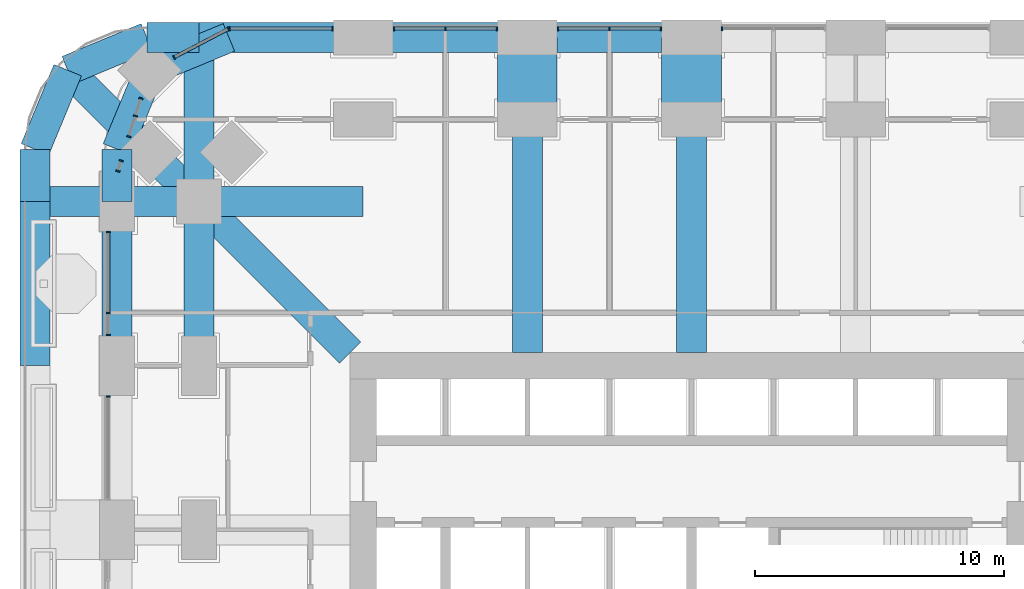
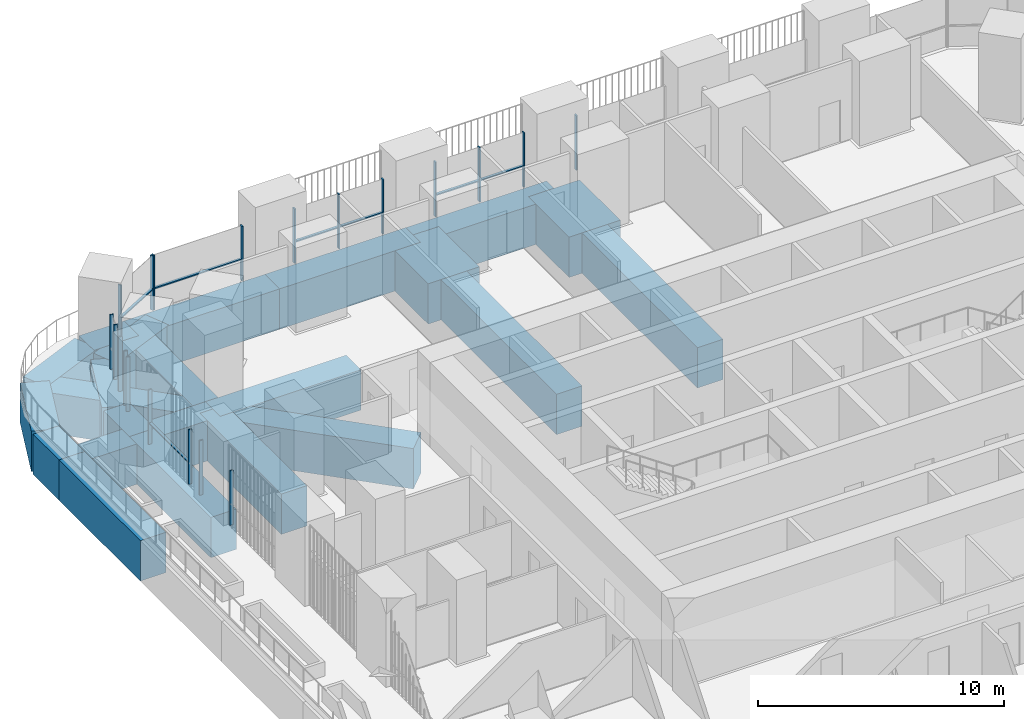
# One storey, part 7 of 27: 27 members, 22 beams, 9 elements without a shape of their own.
"""IFC4 building model written with IfcOpenShell, lengths in metres."""

from ifc_helpers import new_model, si_unit, direction, frame, origin, origin_2d, place, context, subcontext, project, spatial, rectangle, extrude, material, material_profile, profile_set, type_object, element, aggregate, save


model = new_model("IFC4")

# Units and contexts
model_context = context("Model", 3, precision=1e-05, world=origin(), true_north=direction((0.0, 1.0)))
body_context = subcontext(model_context, "Body", "Model", "MODEL_VIEW")
ifc_project = project(units=[si_unit("LENGTHUNIT", "METRE"), si_unit("AREAUNIT", "SQUARE_METRE"), si_unit("VOLUMEUNIT", "CUBIC_METRE"), si_unit("PLANEANGLEUNIT", "RADIAN"), si_unit("MASSUNIT", "GRAM", prefix="KILO")], contexts=[model_context])

# Site, building, storey
site_placement = place(None, origin())
site = spatial("IfcSite", under=ifc_project, at=site_placement, CompositionType="ELEMENT")
building_placement = place(site_placement, origin())
building = spatial("IfcBuilding", under=site, at=building_placement, Name="Cobogo Forest Laboratory Tower", CompositionType="ELEMENT")
storey_placement = place(building_placement, frame((0.0, 0.0, 82.199951171875)))
storey = spatial("IfcBuildingStorey", under=building, at=storey_placement, Name="L18", CompositionType="ELEMENT", Elevation=82.199951171875)

# Curtain wall, member
ifc_material_1 = material(Name="Aluminium curtain wall", Category="aluminium")
curtain_wall_type = type_object("IfcCurtainWallType", Name="CW-1 unitised curtain wall, clear glazing, laboratory floors zones A and B", PredefinedType="USERDEFINED", material=ifc_material_1)
curtain_wall_1_placement = place(storey_placement, origin())
curtain_wall_1 = element("IfcCurtainWall", 1, at=curtain_wall_1_placement, inside=storey, type_object=curtain_wall_type, Name="Curtain wall 20 L18", ObjectType="UNITISED CURTAIN WALL", PredefinedType="USERDEFINED")
ifc_material_2 = material(Name="Aluminium mullion", Category="aluminium")
ifc_material_profile_1 = material_profile(ifc_material_2, rectangle(XDim=0.06005859375, YDim=0.159912109375, at=origin_2d()), Name="AL 60x160")
ifc_profile_set_1 = profile_set([ifc_material_profile_1], Name="Aluminium mullion")
member_type_1 = type_object("IfcMemberType", Name="MU-1 aluminium mullion 60x160", PredefinedType="MULLION", material=ifc_profile_set_1)
member_1_placement = place(storey_placement, frame((27.6298828125, 46.550048828125, 0.0), z_axis=(0.0, 0.0, 1.0), x_axis=(-1.0, 0.0, 0.0)))
member_1 = element("IfcMember", 2, at=member_1_placement, type_object=member_type_1, Name="CW-1 mullion 3", PredefinedType="MULLION", context=body_context, shape_type="SweptSolid", body=[
    extrude(rectangle(XDim=0.06005859375, YDim=0.159912109375, at=origin_2d()), origin(), (0.0, 0.0, 1.0), 2.699951171875),
])
aggregate(curtain_wall_1, [member_1])

# Curtain wall, members
curtain_wall_2_placement = place(storey_placement, origin())
curtain_wall_2 = element("IfcCurtainWall", 3, at=curtain_wall_2_placement, inside=storey, type_object=curtain_wall_type, Name="Curtain wall 21 L18", ObjectType="UNITISED CURTAIN WALL", PredefinedType="USERDEFINED")
member_2_placement = place(storey_placement, frame((25.169921875, 46.550048828125, 0.0), z_axis=(0.0, 0.0, 1.0), x_axis=(-1.0, 0.0, 0.0)))
member_2 = element("IfcMember", 4, at=member_2_placement, type_object=member_type_1, Name="CW-1 mullion 1", PredefinedType="MULLION", context=body_context, shape_type="SweptSolid", body=[
    extrude(rectangle(XDim=0.06005859375, YDim=0.159912109375, at=origin_2d()), origin(), (0.0, 0.0, 1.0), 2.699951171875),
])
member_3_placement = place(storey_placement, frame((23.10009765625, 46.550048828125, 0.0), z_axis=(0.0, 0.0, 1.0), x_axis=(-1.0, 0.0, 0.0)))
member_3 = element("IfcMember", 5, at=member_3_placement, type_object=member_type_1, Name="CW-1 mullion 2", PredefinedType="MULLION", context=body_context, shape_type="SweptSolid", body=[
    extrude(rectangle(XDim=0.06005859375, YDim=0.159912109375, at=origin_2d()), origin(), (0.0, 0.0, 1.0), 2.699951171875),
])
member_4_placement = place(storey_placement, frame((21.030029296875, 46.550048828125, 0.0), z_axis=(0.0, 0.0, 1.0), x_axis=(-1.0, 0.0, 0.0)))
member_4 = element("IfcMember", 6, at=member_4_placement, type_object=member_type_1, Name="CW-1 mullion 3", PredefinedType="MULLION", context=body_context, shape_type="SweptSolid", body=[
    extrude(rectangle(XDim=0.06005859375, YDim=0.159912109375, at=origin_2d()), origin(), (0.0, 0.0, 1.0), 2.699951171875),
])

curtain_wall_3_placement = place(storey_placement, origin())
curtain_wall_3 = element("IfcCurtainWall", 7, at=curtain_wall_3_placement, inside=storey, type_object=curtain_wall_type, Name="Curtain wall 22 L18", ObjectType="UNITISED CURTAIN WALL", PredefinedType="USERDEFINED")
member_5_placement = place(storey_placement, frame((18.570068359375, 46.550048828125, 0.0), z_axis=(0.0, 0.0, 1.0), x_axis=(-1.0, 0.0, 0.0)))
member_5 = element("IfcMember", 8, at=member_5_placement, type_object=member_type_1, Name="CW-1 mullion 1", PredefinedType="MULLION", context=body_context, shape_type="SweptSolid", body=[
    extrude(rectangle(XDim=0.06005859375, YDim=0.159912109375, at=origin_2d()), origin(), (0.0, 0.0, 1.0), 2.699951171875),
])
member_6_placement = place(storey_placement, frame((16.5, 46.550048828125, 0.0), z_axis=(0.0, 0.0, 1.0), x_axis=(-1.0, 0.0, 0.0)))
member_6 = element("IfcMember", 9, at=member_6_placement, type_object=member_type_1, Name="CW-1 mullion 2", PredefinedType="MULLION", context=body_context, shape_type="SweptSolid", body=[
    extrude(rectangle(XDim=0.06005859375, YDim=0.159912109375, at=origin_2d()), origin(), (0.0, 0.0, 1.0), 2.699951171875),
])
member_7_placement = place(storey_placement, frame((14.429931640625, 46.550048828125, 0.0), z_axis=(0.0, 0.0, 1.0), x_axis=(-1.0, 0.0, 0.0)))
member_7 = element("IfcMember", 10, at=member_7_placement, type_object=member_type_1, Name="CW-1 mullion 3", PredefinedType="MULLION", context=body_context, shape_type="SweptSolid", body=[
    extrude(rectangle(XDim=0.06005859375, YDim=0.159912109375, at=origin_2d()), origin(), (0.0, 0.0, 1.0), 2.699951171875),
])

curtain_wall_4_placement = place(storey_placement, origin())
curtain_wall_4 = element("IfcCurtainWall", 11, at=curtain_wall_4_placement, inside=storey, type_object=curtain_wall_type, Name="Curtain wall 23 L18", ObjectType="UNITISED CURTAIN WALL", PredefinedType="USERDEFINED")
member_8_placement = place(storey_placement, frame((11.969970703125, 46.550048828125, 0.0), z_axis=(0.0, 0.0, 1.0), x_axis=(-1.0, 0.0, 0.0)))
member_8 = element("IfcMember", 12, at=member_8_placement, type_object=member_type_1, Name="CW-1 mullion 1", PredefinedType="MULLION", context=body_context, shape_type="SweptSolid", body=[
    extrude(rectangle(XDim=0.06005859375, YDim=0.159912109375, at=origin_2d()), origin(), (0.0, 0.0, 1.0), 2.699951171875),
])
member_9_placement = place(storey_placement, frame((7.830078125, 46.550048828125, 0.0), z_axis=(0.0, 0.0, 1.0), x_axis=(-1.0, 0.0, 0.0)))
member_9 = element("IfcMember", 13, at=member_9_placement, type_object=member_type_1, Name="CW-1 mullion 2", PredefinedType="MULLION", context=body_context, shape_type="SweptSolid", body=[
    extrude(rectangle(XDim=0.06005859375, YDim=0.159912109375, at=origin_2d()), origin(), (0.0, 0.0, 1.0), 2.699951171875),
])

curtain_wall_5_placement = place(storey_placement, origin())
curtain_wall_5 = element("IfcCurtainWall", 14, at=curtain_wall_5_placement, inside=storey, type_object=curtain_wall_type, Name="Curtain wall 24 L18", ObjectType="UNITISED CURTAIN WALL", PredefinedType="USERDEFINED")
member_10_placement = place(storey_placement, frame((7.7734375, 46.5361328125, 0.0), z_axis=(0.0, 0.0, 1.0), x_axis=(-0.885686598126, -0.4642835878, 0.0)))
member_10 = element("IfcMember", 15, at=member_10_placement, type_object=member_type_1, Name="CW-1 mullion 1", PredefinedType="MULLION", context=body_context, shape_type="SweptSolid", body=[
    extrude(rectangle(XDim=0.06005859375, YDim=0.159912109375, at=origin_2d()), origin(), (0.0, 0.0, 1.0), 2.699951171875),
])
member_11_placement = place(storey_placement, frame((5.600341796875, 45.39697265625, 0.0), z_axis=(0.0, 0.0, 1.0), x_axis=(-0.885686598126, -0.4642835878, 0.0)))
member_11 = element("IfcMember", 16, at=member_11_placement, type_object=member_type_1, Name="CW-1 mullion 2", PredefinedType="MULLION", context=body_context, shape_type="SweptSolid", body=[
    extrude(rectangle(XDim=0.06005859375, YDim=0.159912109375, at=origin_2d()), origin(), (0.0, 0.0, 1.0), 2.699951171875),
])

curtain_wall_6_placement = place(storey_placement, origin())
curtain_wall_6 = element("IfcCurtainWall", 17, at=curtain_wall_6_placement, inside=storey, type_object=curtain_wall_type, Name="Curtain wall 25 L18", ObjectType="UNITISED CURTAIN WALL", PredefinedType="USERDEFINED")
member_12_placement = place(storey_placement, frame((4.25927734375, 43.746337890625, 0.0), z_axis=(0.0, 0.0, 1.0), x_axis=(-0.301135106076, -0.953581484661, 0.0)))
member_12 = element("IfcMember", 18, at=member_12_placement, type_object=member_type_1, Name="CW-1 mullion 1", PredefinedType="MULLION", context=body_context, shape_type="SweptSolid", body=[
    extrude(rectangle(XDim=0.06005859375, YDim=0.159912109375, at=origin_2d()), origin(), (0.0, 0.0, 1.0), 2.699951171875),
])
member_13_placement = place(storey_placement, frame((4.037353515625, 43.04296875, 0.0), z_axis=(0.0, 0.0, 1.0), x_axis=(-0.301135106076, -0.953581484661, 0.0)))
member_13 = element("IfcMember", 19, at=member_13_placement, type_object=member_type_1, Name="CW-1 mullion 2", PredefinedType="MULLION", context=body_context, shape_type="SweptSolid", body=[
    extrude(rectangle(XDim=0.06005859375, YDim=0.159912109375, at=origin_2d()), origin(), (0.0, 0.0, 1.0), 2.699951171875),
])
member_14_placement = place(storey_placement, frame((3.7763671875, 42.21630859375, 0.0), z_axis=(0.0, 0.0, 1.0), x_axis=(-0.301135106076, -0.953581484661, 0.0)))
member_14 = element("IfcMember", 20, at=member_14_placement, type_object=member_type_1, Name="CW-1 mullion 3", PredefinedType="MULLION", context=body_context, shape_type="SweptSolid", body=[
    extrude(rectangle(XDim=0.06005859375, YDim=0.159912109375, at=origin_2d()), origin(), (0.0, 0.0, 1.0), 2.699951171875),
])
aggregate(curtain_wall_6, [member_12, member_13, member_14])

curtain_wall_7_placement = place(storey_placement, origin())
curtain_wall_7 = element("IfcCurtainWall", 21, at=curtain_wall_7_placement, inside=storey, type_object=curtain_wall_type, Name="Curtain wall 26 L18", ObjectType="UNITISED CURTAIN WALL", PredefinedType="USERDEFINED")
member_15_placement = place(storey_placement, frame((3.46728515625, 41.23828125, 0.0), z_axis=(0.0, 0.0, 1.0), x_axis=(-0.301134593201, -0.953581646624, 0.0)))
member_15 = element("IfcMember", 22, at=member_15_placement, type_object=member_type_1, Name="CW-1 mullion 1", PredefinedType="MULLION", context=body_context, shape_type="SweptSolid", body=[
    extrude(rectangle(XDim=0.06005859375, YDim=0.159912109375, at=origin_2d()), origin(), (0.0, 0.0, 1.0), 2.699951171875),
])
member_16_placement = place(storey_placement, frame((3.337890625, 40.82861328125, 0.0), z_axis=(0.0, 0.0, 1.0), x_axis=(-0.301134593201, -0.953581646624, 0.0)))
member_16 = element("IfcMember", 23, at=member_16_placement, type_object=member_type_1, Name="CW-1 mullion 2", PredefinedType="MULLION", context=body_context, shape_type="SweptSolid", body=[
    extrude(rectangle(XDim=0.06005859375, YDim=0.159912109375, at=origin_2d()), origin(), (0.0, 0.0, 1.0), 2.699951171875),
])
aggregate(curtain_wall_7, [member_15, member_16])

curtain_wall_8_placement = place(storey_placement, origin())
curtain_wall_8 = element("IfcCurtainWall", 24, at=curtain_wall_8_placement, inside=storey, type_object=curtain_wall_type, Name="Curtain wall 27 L18", ObjectType="UNITISED CURTAIN WALL", PredefinedType="USERDEFINED")
member_17_placement = place(storey_placement, frame((2.949951171875, 38.3701171875, 0.0), z_axis=(0.0, 0.0, 1.0), x_axis=(0.0, -1.0, 0.0)))
member_17 = element("IfcMember", 25, at=member_17_placement, type_object=member_type_1, Name="CW-1 mullion 1", PredefinedType="MULLION", context=body_context, shape_type="SweptSolid", body=[
    extrude(rectangle(XDim=0.06005859375, YDim=0.159912109375, at=origin_2d()), origin(), (0.0, 0.0, 1.0), 2.699951171875),
])
member_18_placement = place(storey_placement, frame((2.949951171875, 35.125, 0.0), z_axis=(0.0, 0.0, 1.0), x_axis=(0.0, -1.0, 0.0)))
member_18 = element("IfcMember", 26, at=member_18_placement, type_object=member_type_1, Name="CW-1 mullion 2", PredefinedType="MULLION", context=body_context, shape_type="SweptSolid", body=[
    extrude(rectangle(XDim=0.06005859375, YDim=0.159912109375, at=origin_2d()), origin(), (0.0, 0.0, 1.0), 2.699951171875),
])
member_19_placement = place(storey_placement, frame((2.949951171875, 34.22998046875, 0.0), z_axis=(0.0, 0.0, 1.0), x_axis=(0.0, -1.0, 0.0)))
member_19 = element("IfcMember", 27, at=member_19_placement, type_object=member_type_1, Name="CW-1 mullion 3", PredefinedType="MULLION", context=body_context, shape_type="SweptSolid", body=[
    extrude(rectangle(XDim=0.06005859375, YDim=0.159912109375, at=origin_2d()), origin(), (0.0, 0.0, 1.0), 2.699951171875),
])

# Curtain wall, member
curtain_wall_9_placement = place(storey_placement, origin())
curtain_wall_9 = element("IfcCurtainWall", 28, at=curtain_wall_9_placement, inside=storey, type_object=curtain_wall_type, Name="Curtain wall 28 L18", ObjectType="UNITISED CURTAIN WALL", PredefinedType="USERDEFINED")
member_20_placement = place(storey_placement, frame((2.949951171875, 31.77001953125, 0.0), z_axis=(0.0, 0.0, 1.0), x_axis=(0.0, -1.0, 0.0)))
member_20 = element("IfcMember", 29, at=member_20_placement, type_object=member_type_1, Name="CW-1 mullion 1", PredefinedType="MULLION", context=body_context, shape_type="SweptSolid", body=[
    extrude(rectangle(XDim=0.06005859375, YDim=0.159912109375, at=origin_2d()), origin(), (0.0, 0.0, 1.0), 2.699951171875),
])
aggregate(curtain_wall_9, [member_20])

# Beams
ifc_material_3 = material(Name="Concrete HA-50 (C50/60)", Category="concrete")
ifc_material_profile_2 = material_profile(ifc_material_3, rectangle(XDim=2.39990234375, YDim=2.0, at=origin_2d()), Name="RC 2400x2000")
ifc_profile_set_2 = profile_set([ifc_material_profile_2], Name="Concrete HA-50 (C50/60)")
beam_type_1 = type_object("IfcBeamType", Name="Setback floor end-bay girder 2400x2000", PredefinedType="BEAM", material=ifc_profile_set_2)
for number, where, z_axis, x_axis, name in (
    (30, (19.800048828125, 46.199951171875, -1.300048828125), (0.0, -1.0, 0.0), (1.0, 0.0, 0.0), "TG3 R-4-N-X L18"),
    (31, (26.39990234375, 46.199951171875, -1.300048828125), (0.0, -1.0, 0.0), (1.0, 0.0, 0.0), "TG3 R-5-N-X L18"),
):
    element("IfcBeam", number, at=place(storey_placement, frame(where, z_axis=z_axis, x_axis=x_axis)), inside=storey, type_object=beam_type_1, Name=name, PredefinedType="BEAM", context=body_context, shape_type="SweptSolid", body=[
        extrude(rectangle(XDim=2.39990234375, YDim=2.0, at=origin_2d()), origin(), (0.0, 0.0, 1.0), 3.300048828125),
    ])
ifc_material_4 = material(Name="Concrete HA-40 (C40/50)", Category="concrete")
ifc_material_profile_3 = material_profile(ifc_material_4, rectangle(XDim=1.199951171875, YDim=2.0, at=origin_2d()), Name="RC 1200x2000")
ifc_profile_set_3 = profile_set([ifc_material_profile_3], Name="Concrete HA-40 (C40/50)")
beam_type_2 = type_object("IfcBeamType", Name="Setback floor girder 1200x2000", PredefinedType="BEAM", material=ifc_profile_set_3)
for number, where, z_axis, x_axis, name in (
    (32, (19.800048828125, 33.52490234375, -1.300048828125), (0.0, 1.0, 0.0), (-1.0, 0.0, 0.0), "TG2 R-4-N L18"),
    (33, (26.39990234375, 33.52490234375, -1.300048828125), (0.0, 1.0, 0.0), (-1.0, 0.0, 0.0), "TG2 R-5-N L18"),
):
    element("IfcBeam", number, at=place(storey_placement, frame(where, z_axis=z_axis, x_axis=x_axis)), inside=storey, type_object=beam_type_2, Name=name, PredefinedType="BEAM", context=body_context, shape_type="SweptSolid", body=[
        extrude(rectangle(XDim=1.199951171875, YDim=2.0, at=origin_2d()), origin(), (0.0, 0.0, 1.0), 9.375),
    ])
beam_1_placement = place(storey_placement, frame((6.60009765625, 46.199951171875, -1.300048828125), z_axis=(0.0, -1.0, 0.0), x_axis=(1.0, 0.0, 0.0)))
element("IfcBeam", 34, at=beam_1_placement, inside=storey, type_object=beam_type_2, Name="TG2 G-NW-XF L18", PredefinedType="BEAM", context=body_context, shape_type="SweptSolid", body=[
    extrude(rectangle(XDim=1.199951171875, YDim=2.0, at=origin_2d()), origin(), (0.0, 0.0, 1.0), 6.599853515625),
])
for number, where, z_axis, x_axis, name in (
    (35, (6.60009765625, 39.60009765625, -1.300048828125), (0.0, -1.0, 0.0), (1.0, 0.0, 0.0), "TG2 G-NW-XC L18"),
    (36, (0.0, 39.60009765625, -1.300048828125), (1.0, 0.0, 0.0), (0.0, 1.0, 0.0), "TG2 G-NW-YF L18"),
):
    element("IfcBeam", number, at=place(storey_placement, frame(where, z_axis=z_axis, x_axis=x_axis)), inside=storey, type_object=beam_type_2, Name=name, PredefinedType="BEAM", context=body_context, shape_type="SweptSolid", body=[
        extrude(rectangle(XDim=1.199951171875, YDim=2.0, at=origin_2d()), origin(), (0.0, 0.0, 1.0), 6.60009765625),
    ])
beam_2_placement = place(storey_placement, frame((6.60009765625, 39.60009765625, -1.300048828125), z_axis=(1.0, 0.0, 0.0), x_axis=(0.0, 1.0, 0.0)))
element("IfcBeam", 37, at=beam_2_placement, inside=storey, type_object=beam_type_2, Name="TG2 G-NW-YC L18", PredefinedType="BEAM", context=body_context, shape_type="SweptSolid", body=[
    extrude(rectangle(XDim=1.199951171875, YDim=2.0, at=origin_2d()), origin(), (0.0, 0.0, 1.0), 6.599853515625),
])
beam_3_placement = place(storey_placement, frame((1.318115234375, 44.882080078125, -1.300048828125), z_axis=(0.707106781187, -0.707106781187, 0.0), x_axis=(0.707106781187, 0.707106781187, 0.0)))
element("IfcBeam", 38, at=beam_3_placement, inside=storey, type_object=beam_type_2, Name="TG2 G-NW-D1 L18", PredefinedType="BEAM", context=body_context, shape_type="SweptSolid", body=[
    extrude(rectangle(XDim=1.199951171875, YDim=2.0, at=origin_2d()), origin(), (0.0, 0.0, 1.0), 7.469970703125),
])
beam_4_placement = place(storey_placement, frame((6.60009765625, 39.60009765625, -1.300048828125), z_axis=(0.707092572697, -0.70712098939, 0.0), x_axis=(0.70712098939, 0.707092572697, 0.0)))
element("IfcBeam", 39, at=beam_4_placement, inside=storey, type_object=beam_type_2, Name="TG2 G-NW-D2 L18", PredefinedType="BEAM", context=body_context, shape_type="SweptSolid", body=[
    extrude(rectangle(XDim=1.199951171875, YDim=2.0, at=origin_2d()), origin(), (0.0, 0.0, 1.0), 8.591552734375),
])
beam_5_placement = place(storey_placement, frame((6.60009765625, 46.199951171875, -1.300048828125), z_axis=(1.0, 0.0, 0.0), x_axis=(0.0, 1.0, 0.0)))
element("IfcBeam", 40, at=beam_5_placement, inside=storey, type_object=beam_type_2, Name="TG2 E-N1 L18", PredefinedType="BEAM", context=body_context, shape_type="SweptSolid", body=[
    extrude(rectangle(XDim=1.199951171875, YDim=2.0, at=origin_2d()), origin(), (0.0, 0.0, 1.0), 6.599853515625),
])
beam_6_placement = place(storey_placement, frame((13.199951171875, 46.199951171875, -1.300048828125), z_axis=(1.0, 0.0, 0.0), x_axis=(0.0, 1.0, 0.0)))
element("IfcBeam", 41, at=beam_6_placement, inside=storey, type_object=beam_type_2, Name="TG2 E-N2 L18", PredefinedType="BEAM", context=body_context, shape_type="SweptSolid", body=[
    extrude(rectangle(XDim=1.199951171875, YDim=2.0, at=origin_2d()), origin(), (0.0, 0.0, 1.0), 6.60009765625),
])
beam_7_placement = place(storey_placement, frame((19.800048828125, 46.199951171875, -1.300048828125), z_axis=(1.0, 0.0, 0.0), x_axis=(0.0, 1.0, 0.0)))
element("IfcBeam", 42, at=beam_7_placement, inside=storey, type_object=beam_type_2, Name="TG2 E-N3 L18", PredefinedType="BEAM", context=body_context, shape_type="SweptSolid", body=[
    extrude(rectangle(XDim=1.199951171875, YDim=2.0, at=origin_2d()), origin(), (0.0, 0.0, 1.0), 6.599853515625),
])
beam_8_placement = place(storey_placement, frame((0.0, 33.0, -1.300048828125), z_axis=(0.0, 1.0, 0.0), x_axis=(-1.0, 0.0, 0.0)))
element("IfcBeam", 43, at=beam_8_placement, inside=storey, type_object=beam_type_2, Name="TG2 E-W5 L18", PredefinedType="BEAM", context=body_context, shape_type="SweptSolid", body=[
    extrude(rectangle(XDim=1.199951171875, YDim=2.0, at=origin_2d()), origin(), (0.0, 0.0, 1.0), 6.60009765625),
])
beam_9_placement = place(storey_placement, frame((6.60009765625, 46.199951171875, -1.300048828125), z_axis=(-1.0, 0.0, 0.0), x_axis=(0.0, -1.0, 0.0)))
element("IfcBeam", 44, at=beam_9_placement, inside=storey, type_object=beam_type_2, Name="TG2 E-NWN1 L18", PredefinedType="BEAM", context=body_context, shape_type="SweptSolid", body=[
    extrude(rectangle(XDim=1.199951171875, YDim=2.0, at=origin_2d()), origin(), (0.0, 0.0, 1.0), 2.10009765625),
])
beam_10_placement = place(storey_placement, frame((4.5, 46.199951171875, -1.300048828125), z_axis=(-0.923890694089, -0.382656484822, 0.0), x_axis=(0.382656484822, -0.923890694089, 0.0)))
element("IfcBeam", 45, at=beam_10_placement, inside=storey, type_object=beam_type_2, Name="TG2 E-NWN2 L18", PredefinedType="BEAM", context=body_context, shape_type="SweptSolid", body=[
    extrude(rectangle(XDim=1.199951171875, YDim=2.0, at=origin_2d()), origin(), (0.0, 0.0, 1.0), 3.444091796875),
])
beam_11_placement = place(storey_placement, frame((0.0, 39.60009765625, -1.300048828125), z_axis=(0.0, 1.0, 0.0), x_axis=(-1.0, 0.0, 0.0)))
element("IfcBeam", 46, at=beam_11_placement, inside=storey, type_object=beam_type_2, Name="TG2 E-NWW1 L18", PredefinedType="BEAM", context=body_context, shape_type="SweptSolid", body=[
    extrude(rectangle(XDim=1.199951171875, YDim=2.0, at=origin_2d()), origin(), (0.0, 0.0, 1.0), 2.099853515625),
])
beam_12_placement = place(storey_placement, frame((0.0, 41.699951171875, -1.300048828125), z_axis=(0.382691928466, 0.923876013265, 0.0), x_axis=(-0.923876013265, 0.382691928466, 0.0)))
element("IfcBeam", 47, at=beam_12_placement, inside=storey, type_object=beam_type_2, Name="TG2 E-NWW2 L18", PredefinedType="BEAM", context=body_context, shape_type="SweptSolid", body=[
    extrude(rectangle(XDim=1.199951171875, YDim=2.0, at=origin_2d()), origin(), (0.0, 0.0, 1.0), 3.4443359375),
])
beam_13_placement = place(storey_placement, frame((3.300048828125, 33.0, -1.300048828125), z_axis=(0.0, 1.0, 0.0), x_axis=(-1.0, 0.0, 0.0)))
element("IfcBeam", 48, at=beam_13_placement, inside=storey, type_object=beam_type_2, Name="TG2 UE-W5 L18", PredefinedType="BEAM", context=body_context, shape_type="SweptSolid", body=[
    extrude(rectangle(XDim=1.199951171875, YDim=2.0, at=origin_2d()), origin(), (0.0, 0.0, 1.0), 6.60009765625),
])
beam_14_placement = place(storey_placement, frame((7.800048828125, 46.199951171875, -1.300048828125), z_axis=(-0.923901072997, -0.382631424892, 0.0), x_axis=(0.382631424892, -0.923901072997, 0.0)))
element("IfcBeam", 49, at=beam_14_placement, inside=storey, type_object=beam_type_2, Name="TG2 UE-NWN2 L18", PredefinedType="BEAM", context=body_context, shape_type="SweptSolid", body=[
    extrude(rectangle(XDim=1.199951171875, YDim=2.0, at=origin_2d()), origin(), (0.0, 0.0, 1.0), 3.4443359375),
])
beam_15_placement = place(storey_placement, frame((3.300048828125, 39.60009765625, -1.300048828125), z_axis=(0.0, 1.0, 0.0), x_axis=(-1.0, 0.0, 0.0)))
element("IfcBeam", 50, at=beam_15_placement, inside=storey, type_object=beam_type_2, Name="TG2 UE-NWW1 L18", PredefinedType="BEAM", context=body_context, shape_type="SweptSolid", body=[
    extrude(rectangle(XDim=1.199951171875, YDim=2.0, at=origin_2d()), origin(), (0.0, 0.0, 1.0), 2.099853515625),
])
beam_16_placement = place(storey_placement, frame((3.300048828125, 41.699951171875, -1.300048828125), z_axis=(0.382631424892, 0.923901072997, 0.0), x_axis=(-0.923901072997, 0.382631424892, 0.0)))
element("IfcBeam", 51, at=beam_16_placement, inside=storey, type_object=beam_type_2, Name="TG2 UE-NWW2 L18", PredefinedType="BEAM", context=body_context, shape_type="SweptSolid", body=[
    extrude(rectangle(XDim=1.199951171875, YDim=2.0, at=origin_2d()), origin(), (0.0, 0.0, 1.0), 3.4443359375),
])

# Member
ifc_material_5 = material(Name="Aluminium transom", Category="aluminium")
ifc_material_profile_4 = material_profile(ifc_material_5, rectangle(XDim=0.1201171875, YDim=0.06005859375, at=origin_2d()), Name="AL 60x120")
ifc_profile_set_4 = profile_set([ifc_material_profile_4], Name="Aluminium transom")
member_type_2 = type_object("IfcMemberType", Name="TR-1 aluminium transom 60x120", PredefinedType="USERDEFINED", material=ifc_profile_set_4)
member_21_placement = place(storey_placement, frame((25.139892578125, 46.550048828125, 1.050048828125), z_axis=(-1.0, 0.0, 0.0), x_axis=(0.0, -1.0, 0.0)))
member_21 = element("IfcMember", 52, at=member_21_placement, type_object=member_type_2, Name="CW-1 transom 1.1", ObjectType="TRANSOM", PredefinedType="USERDEFINED", context=body_context, shape_type="SweptSolid", body=[
    extrude(rectangle(XDim=0.1201171875, YDim=0.06005859375, at=origin_2d()), origin(), (0.0, 0.0, 1.0), 2.010009765625),
])

member_22_placement = place(storey_placement, frame((23.070068359375, 46.550048828125, 1.050048828125), z_axis=(-1.0, 0.0, 0.0), x_axis=(0.0, -1.0, 0.0)))
member_22 = element("IfcMember", 53, at=member_22_placement, type_object=member_type_2, Name="CW-1 transom 2.1", ObjectType="TRANSOM", PredefinedType="USERDEFINED", context=body_context, shape_type="SweptSolid", body=[
    extrude(rectangle(XDim=0.1201171875, YDim=0.06005859375, at=origin_2d()), origin(), (0.0, 0.0, 1.0), 2.010009765625),
])

aggregate(curtain_wall_2, [member_2, member_3, member_4, member_21, member_22])

member_23_placement = place(storey_placement, frame((18.5400390625, 46.550048828125, 1.050048828125), z_axis=(-1.0, 0.0, 0.0), x_axis=(0.0, -1.0, 0.0)))
member_23 = element("IfcMember", 54, at=member_23_placement, type_object=member_type_2, Name="CW-1 transom 1.1", ObjectType="TRANSOM", PredefinedType="USERDEFINED", context=body_context, shape_type="SweptSolid", body=[
    extrude(rectangle(XDim=0.1201171875, YDim=0.06005859375, at=origin_2d()), origin(), (0.0, 0.0, 1.0), 2.010009765625),
])

member_24_placement = place(storey_placement, frame((16.469970703125, 46.550048828125, 1.050048828125), z_axis=(-1.0, 0.0, 0.0), x_axis=(0.0, -1.0, 0.0)))
member_24 = element("IfcMember", 55, at=member_24_placement, type_object=member_type_2, Name="CW-1 transom 2.1", ObjectType="TRANSOM", PredefinedType="USERDEFINED", context=body_context, shape_type="SweptSolid", body=[
    extrude(rectangle(XDim=0.1201171875, YDim=0.06005859375, at=origin_2d()), origin(), (0.0, 0.0, 1.0), 2.010009765625),
])

aggregate(curtain_wall_3, [member_5, member_6, member_7, member_23, member_24])

member_25_placement = place(storey_placement, frame((11.93994140625, 46.550048828125, 1.050048828125), z_axis=(-1.0, 0.0, 0.0), x_axis=(0.0, -1.0, 0.0)))
member_25 = element("IfcMember", 56, at=member_25_placement, type_object=member_type_2, Name="CW-1 transom 1.1", ObjectType="TRANSOM", PredefinedType="USERDEFINED", context=body_context, shape_type="SweptSolid", body=[
    extrude(rectangle(XDim=0.1201171875, YDim=0.06005859375, at=origin_2d()), origin(), (0.0, 0.0, 1.0), 4.079833984375),
])

aggregate(curtain_wall_4, [member_8, member_9, member_25])

member_26_placement = place(storey_placement, frame((7.746826171875, 46.522216796875, 1.050048828125), z_axis=(-0.885695750438, -0.464266128051, 0.0), x_axis=(0.464266128051, -0.885695750438, 0.0)))
member_26 = element("IfcMember", 57, at=member_26_placement, type_object=member_type_2, Name="CW-1 transom 1.1", ObjectType="TRANSOM", PredefinedType="USERDEFINED", context=body_context, shape_type="SweptSolid", body=[
    extrude(rectangle(XDim=0.1201171875, YDim=0.06005859375, at=origin_2d()), origin(), (0.0, 0.0, 1.0), 2.393798828125),
])

aggregate(curtain_wall_5, [member_10, member_11, member_26])

member_27_placement = place(storey_placement, frame((2.949951171875, 38.340087890625, 1.050048828125), z_axis=(0.0, -1.0, 0.0), x_axis=(1.0, 0.0, 0.0)))
member_27 = element("IfcMember", 58, at=member_27_placement, type_object=member_type_2, Name="CW-1 transom 1.1", ObjectType="TRANSOM", PredefinedType="USERDEFINED", context=body_context, shape_type="SweptSolid", body=[
    extrude(rectangle(XDim=0.1201171875, YDim=0.06005859375, at=origin_2d()), origin(), (0.0, 0.0, 1.0), 3.18505859375),
])

aggregate(curtain_wall_8, [member_17, member_18, member_19, member_27])

save(model, "model.ifc")
